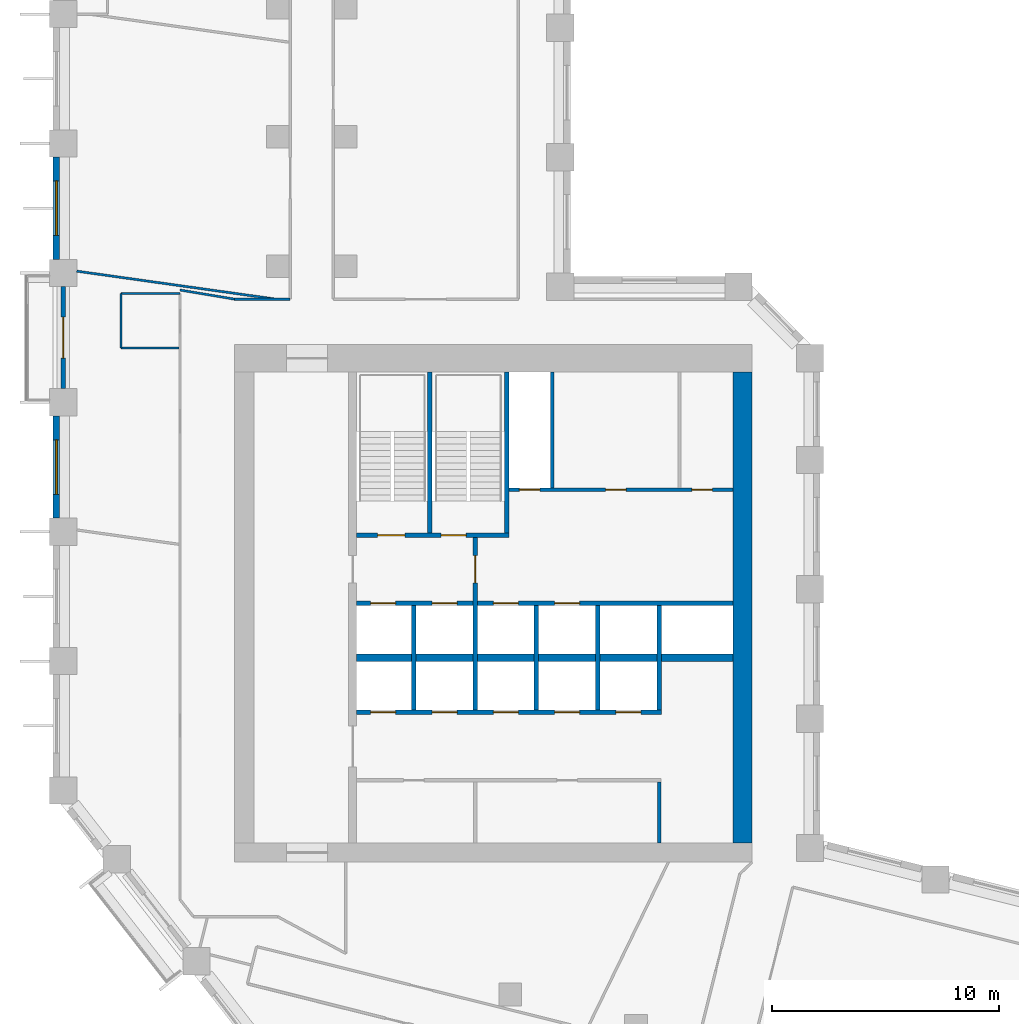
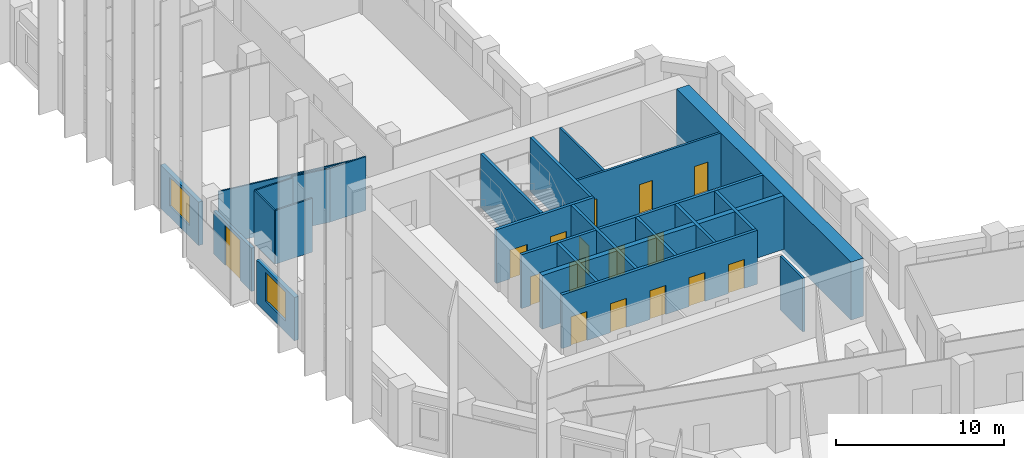
# One storey, part 5 of 10: 24 walls, 16 doors, 2 windows, 18 openings.
"""IFC4 building model written with IfcOpenShell, lengths in metres."""

import ifcopenshell
import ifcopenshell.guid

model = None  # the IFC model being written
_history = None  # IfcOwnerHistory: only IFC2X3 demands one
_inside = {}  # id of a spatial element -> (the spatial element, [elements in it])
_under = {}  # id of a project, library or spatial element -> (it, [spatial elements below it])
_declared = {}  # id of a project -> (the project, [libraries it declares])
_typed = {}  # id of a type object -> (the type object, [elements of that type])
_made_of = {}  # id of a material, layer set ... -> (it, [elements and type objects made of it])


def new_model(schema):
    """Start an empty IFC model of exactly this schema.

    Asked for "IFC4X3", IfcOpenShell would pick the latest addendum, in which some entities
    have other attributes; the version numbers below select the first issue.
    IFC2X3 requires an IfcOwnerHistory on every rooted entity: one is made here for all.
    """
    global model, _history
    if schema == "IFC4X3":
        model = ifcopenshell.file(schema_version=(4, 3, 0, 0))
    else:
        model = ifcopenshell.file(schema=schema)
    _inside.clear()
    _under.clear()
    _declared.clear()
    _typed.clear()
    _made_of.clear()
    _history = None
    if model.schema == "IFC2X3":
        org = make("IfcOrganization", Name="unknown")
        user = make(
            "IfcPersonAndOrganization",
            ThePerson=make("IfcPerson", FamilyName="unknown"),
            TheOrganization=org,
        )
        app = make(
            "IfcApplication",
            ApplicationDeveloper=org,
            Version="unknown",
            ApplicationFullName="unknown",
            ApplicationIdentifier="unknown",
        )
        _history = make(
            "IfcOwnerHistory",
            OwningUser=user,
            OwningApplication=app,
            ChangeAction="ADDED",
            CreationDate=0,
        )
    return model


def make(cls, **values):
    """One entity of the class cls with the attributes given. An attribute that is None is left unset."""
    return model.create_entity(
        cls, **{name: value for name, value in values.items() if value is not None}
    )


def rooted(cls, **values):
    """An entity with a GlobalId (a new one), such as an element, a storey or a relation."""
    return make(cls, GlobalId=ifcopenshell.guid.new(), OwnerHistory=_history, **values)


def si_unit(unit_type, name, prefix=None):
    """IfcSIUnit, for example si_unit("LENGTHUNIT", "METRE", prefix="MILLI")."""
    return make("IfcSIUnit", UnitType=unit_type, Prefix=prefix, Name=name)


def assignment(units):
    """IfcUnitAssignment: the units of a project."""
    return None if units is None else make("IfcUnitAssignment", Units=units)


def point(xyz):
    """IfcCartesianPoint."""
    return None if xyz is None else make("IfcCartesianPoint", Coordinates=xyz)


def direction(xyz):
    """IfcDirection."""
    return None if xyz is None else make("IfcDirection", DirectionRatios=xyz)


def frame(location, z_axis=None, x_axis=None):
    """IfcAxis2Placement3D, a coordinate frame: its origin and axes. An axis left out is left unset."""
    return make(
        "IfcAxis2Placement3D",
        Location=point(location),
        Axis=direction(z_axis),
        RefDirection=direction(x_axis),
    )


def frame_2d(location, x_axis=None):
    """IfcAxis2Placement2D, a coordinate frame in the plane: its origin and x axis."""
    return make(
        "IfcAxis2Placement2D", Location=point(location), RefDirection=direction(x_axis)
    )


def origin():
    """The frame at (0, 0, 0) with its axes left unset."""
    return frame((0.0, 0.0, 0.0))


def place(relative_to, where):
    """IfcLocalPlacement: puts the frame where relative to a parent placement (None: the world)."""
    return make(
        "IfcLocalPlacement", PlacementRelTo=relative_to, RelativePlacement=where
    )


def context(
    kind, dimensions, precision=None, world=None, true_north=None, identifier=None
):
    """IfcGeometricRepresentationContext, for example the 3D "Model" context."""
    return make(
        "IfcGeometricRepresentationContext",
        ContextIdentifier=identifier,
        ContextType=kind,
        CoordinateSpaceDimension=dimensions,
        Precision=precision,
        WorldCoordinateSystem=world,
        TrueNorth=true_north,
    )


def subcontext(parent, identifier, kind, view, scale=None):
    """IfcGeometricRepresentationSubContext, for example "Body" below "Model"."""
    return make(
        "IfcGeometricRepresentationSubContext",
        ContextIdentifier=identifier,
        ContextType=kind,
        ParentContext=parent,
        TargetScale=scale,
        TargetView=view,
    )


def project(units=None, contexts=None):
    """IfcProject with its units and contexts."""
    return rooted(
        "IfcProject",
        Name="project",
        RepresentationContexts=contexts,
        UnitsInContext=assignment(units),
    )


def spatial(cls, under=None, at=None, **own):
    """A site, building, storey or space (cls), placed at a placement, below another one or the project."""
    s = rooted(cls, ObjectPlacement=at, **own)
    if under is not None:
        _under.setdefault(under.id(), (under, []))[1].append(s)
    return s


def profile(cls, at=None, kind="AREA", **sizes):
    """A parametric profile (cls). Its sizes go by their IFC names, for example OverallWidth=200.0."""
    return make(cls, ProfileType=kind, Position=at, **sizes)


def rectangle(**sizes):
    """IfcRectangleProfileDef."""
    return profile("IfcRectangleProfileDef", **sizes)


def extrude(swept, where, along, depth):
    """IfcExtrudedAreaSolid: the profile swept, set in the frame where, extruded along a direction by depth."""
    return make(
        "IfcExtrudedAreaSolid",
        SweptArea=swept,
        Position=where,
        ExtrudedDirection=direction(along),
        Depth=depth,
    )


def shape(context_of_items, identifier, shape_type, items):
    """IfcShapeRepresentation: the items that make up one representation, for example the "Body"."""
    return make(
        "IfcShapeRepresentation",
        ContextOfItems=context_of_items,
        RepresentationIdentifier=identifier,
        RepresentationType=shape_type,
        Items=items,
    )


def material(Name=None, Category=None):
    """IfcMaterial."""
    return make("IfcMaterial", Name=Name, Category=Category)


def layer(
    of_material, thickness, ventilated=None, Name=None, Category=None, Priority=None
):
    """IfcMaterialLayer: one layer of a wall or slab, of a material (None: an air gap)."""
    return make(
        "IfcMaterialLayer",
        Material=of_material,
        LayerThickness=thickness,
        IsVentilated=ventilated,
        Name=Name,
        Category=Category,
        Priority=Priority,
    )


def layer_set(layers, Name=None):
    """IfcMaterialLayerSet."""
    return make("IfcMaterialLayerSet", MaterialLayers=layers, LayerSetName=Name)


def made_of(thing, what):
    """Note that an element or type object is made of a material, layer set ...; save() writes the relation."""
    if what is not None:
        _made_of.setdefault(what.id(), (what, []))[1].append(thing)
    return thing


def type_object(cls, material=None, **own):
    """A type object (cls), such as IfcWallType, which elements share."""
    return made_of(rooted(cls, **own), material)


def element(
    cls,
    number,
    at=None,
    inside=None,
    cuts=None,
    type_object=None,
    material=None,
    context=None,
    identifier="Body",
    shape_type=None,
    held_by="IfcProductDefinitionShape",
    body=None,
    shapes=None,
    **own,
):
    """One element of the class cls, such as IfcWall. Its Tag is "e" and its number.

    at: its placement. inside: the storey or other place that contains it. cuts: it is an
    opening in that element (IfcRelVoidsElement). A single representation is given by context,
    identifier, shape_type and body (its items); several are given by shapes. held_by: the class
    of the entity that holds the representations. save() writes the other relations.
    """
    e = rooted(cls, Tag="e%d" % number, ObjectPlacement=at, **own)
    if body is not None:
        shapes = [shape(context, identifier, shape_type, body)]
    if shapes is not None:
        e.Representation = make(held_by, Representations=shapes)
    if inside is not None:
        _inside.setdefault(inside.id(), (inside, []))[1].append(e)
    if cuts is not None:
        rooted(
            "IfcRelVoidsElement", RelatingBuildingElement=cuts, RelatedOpeningElement=e
        )
    if type_object is not None:
        _typed.setdefault(type_object.id(), (type_object, []))[1].append(e)
    return made_of(e, material)


def fill(opening, filler):
    """IfcRelFillsElement: the door or window that sits in an opening."""
    return rooted(
        "IfcRelFillsElement",
        RelatingOpeningElement=opening,
        RelatedBuildingElement=filler,
    )


def aggregate(whole, parts):
    """IfcRelAggregates: a whole, such as a stair, and the parts it consists of."""
    return rooted("IfcRelAggregates", RelatingObject=whole, RelatedObjects=parts)


def save(model, path):
    """Write the relations noted so far, then the file.

    IfcRelAggregates (storeys below a building ...), IfcRelContainedInSpatialStructure (elements
    in a storey), IfcRelDefinesByType, IfcRelAssociatesMaterial and IfcRelDeclares: one each for
    every whole, place, type object, material and project.
    """
    for whole, parts in _under.values():
        aggregate(whole, parts)
    for where, things in _inside.values():
        rooted(
            "IfcRelContainedInSpatialStructure",
            RelatedElements=things,
            RelatingStructure=where,
        )
    for kind, things in _typed.values():
        rooted("IfcRelDefinesByType", RelatedObjects=things, RelatingType=kind)
    for what, things in _made_of.values():
        rooted("IfcRelAssociatesMaterial", RelatedObjects=things, RelatingMaterial=what)
    for by, libraries in _declared.values():
        rooted("IfcRelDeclares", RelatingContext=by, RelatedDefinitions=libraries)
    model.write(path)


model = new_model("IFC4")

# Units and contexts
model_context = context("Model", 3, precision=1e-05, world=origin(), true_north=direction((0.0, 1.0)))
body_context = subcontext(model_context, "Body", "Model", "MODEL_VIEW")
ifc_project = project(units=[si_unit("LENGTHUNIT", "METRE"), si_unit("AREAUNIT", "SQUARE_METRE"), si_unit("VOLUMEUNIT", "CUBIC_METRE"), si_unit("PLANEANGLEUNIT", "RADIAN"), si_unit("MASSUNIT", "GRAM", prefix="KILO")], contexts=[model_context])

# Site, building, storey
site_placement = place(None, origin())
site = spatial("IfcSite", under=ifc_project, at=site_placement, CompositionType="ELEMENT")
building_placement = place(site_placement, origin())
building = spatial("IfcBuilding", under=site, at=building_placement, Name="Meshkara Civic Tower", CompositionType="ELEMENT")
storey_placement = place(building_placement, frame((0.0, 0.0, 195.0)))
storey = spatial("IfcBuildingStorey", under=building, at=storey_placement, Name="L44", CompositionType="ELEMENT", Elevation=195.0)

# Wall, openings, doors
ifc_material_1 = material(Name="Blockwork", Category="masonry")
ifc_layer_1 = layer(ifc_material_1, 0.14990234375)
ifc_layer_set_1 = layer_set([ifc_layer_1], Name="Core partition 150")
wall_type_1 = type_object("IfcWallType", Name="Core partition 150", PredefinedType="PARTITIONING", material=ifc_layer_set_1)
wall_1_placement = place(storey_placement, frame((20.10009765625, 30.5, 0.0), z_axis=(0.0, 0.0, 1.0), x_axis=(1.0, 0.0, 0.0)))
wall_1 = element("IfcWall", 1, at=wall_1_placement, inside=storey, type_object=wall_type_1, Name="L44-C010", PredefinedType="PARTITIONING", context=body_context, shape_type="SweptSolid", body=[
    extrude(rectangle(XDim=9.849853515625, YDim=0.14990234375, at=frame_2d((4.9248046875, 0.0))), origin(), (0.0, 0.0, 1.0), 3.89990234375),
])
opening_1_placement = place(wall_1_placement, frame((0.449951171875, 0.0, 0.0)))
opening_1 = element("IfcOpeningElement", 2, at=opening_1_placement, cuts=wall_1, Name="Opening L44-K012", PredefinedType="OPENING", context=body_context, shape_type="SweptSolid", body=[
    extrude(rectangle(XDim=0.89990234375, YDim=2.10009765625, at=frame_2d((0.449951171875, 1.050048828125))), frame((0.0, 0.0849609375, 0.0), z_axis=(0.0, -1.0, 0.0), x_axis=(1.0, 0.0, 0.0)), (0.0, 0.0, 1.0), 0.169921875),
])
opening_2_placement = place(wall_1_placement, frame((4.25, 0.0, 0.0)))
opening_2 = element("IfcOpeningElement", 3, at=opening_2_placement, cuts=wall_1, Name="Opening L44-K013", PredefinedType="OPENING", context=body_context, shape_type="SweptSolid", body=[
    extrude(rectangle(XDim=0.89990234375, YDim=2.10009765625, at=frame_2d((0.449951171875, 1.050048828125))), frame((0.0, 0.0849609375, 0.0), z_axis=(0.0, -1.0, 0.0), x_axis=(1.0, 0.0, 0.0)), (0.0, 0.0, 1.0), 0.169921875),
])
opening_3_placement = place(wall_1_placement, frame((8.050048828125, 0.0, 0.0)))
opening_3 = element("IfcOpeningElement", 4, at=opening_3_placement, cuts=wall_1, Name="Opening L44-K014", PredefinedType="OPENING", context=body_context, shape_type="SweptSolid", body=[
    extrude(rectangle(XDim=0.89990234375, YDim=2.10009765625, at=frame_2d((0.449951171875, 1.050048828125))), frame((0.0, 0.0849609375, 0.0), z_axis=(0.0, -1.0, 0.0), x_axis=(1.0, 0.0, 0.0)), (0.0, 0.0, 1.0), 0.169921875),
])
ifc_material_2 = material(Name="Timber door leaf in steel frame", Category="steel")
door_type_1 = type_object("IfcDoorType", Name="Core room door 900", OperationType="SINGLE_SWING_LEFT", PredefinedType="DOOR", material=ifc_material_2)
door_1_placement = place(opening_2_placement, origin())
door_1 = element("IfcDoor", 5, at=door_1_placement, inside=storey, type_object=door_type_1, Name="L44-K013", OperationType="SINGLE_SWING_RIGHT", OverallHeight=2.10009765625, OverallWidth=0.89990234375, PredefinedType="DOOR", context=body_context, shape_type="SweptSolid", body=[
    extrude(rectangle(XDim=0.89990234375, YDim=2.10009765625, at=frame_2d((0.449951171875, 1.050048828125))), frame((0.0, 0.02490234375, 0.0), z_axis=(0.0, -1.0, 0.0), x_axis=(1.0, 0.0, 0.0)), (0.0, 0.0, 1.0), 0.050048828125),
])
fill(opening_2, door_1)
door_2_placement = place(opening_3_placement, origin())
door_2 = element("IfcDoor", 6, at=door_2_placement, inside=storey, type_object=door_type_1, Name="L44-K014", OperationType="SINGLE_SWING_RIGHT", OverallHeight=2.10009765625, OverallWidth=0.89990234375, PredefinedType="DOOR", context=body_context, shape_type="SweptSolid", body=[
    extrude(rectangle(XDim=0.89990234375, YDim=2.10009765625, at=frame_2d((0.449951171875, 1.050048828125))), frame((0.0, 0.02490234375, 0.0), z_axis=(0.0, -1.0, 0.0), x_axis=(1.0, 0.0, 0.0)), (0.0, 0.0, 1.0), 0.050048828125),
])
fill(opening_3, door_2)
ifc_material_3 = material(Name="Fire-rated door leaf in steel frame", Category="steel")
door_type_2 = type_object("IfcDoorType", Name="Riser door 900", OperationType="SINGLE_SWING_LEFT", PredefinedType="DOOR", material=ifc_material_3)
door_3_placement = place(opening_1_placement, origin())
door_3 = element("IfcDoor", 7, at=door_3_placement, inside=storey, type_object=door_type_2, Name="L44-K012", OperationType="SINGLE_SWING_RIGHT", OverallHeight=2.10009765625, OverallWidth=0.89990234375, PredefinedType="DOOR", context=body_context, shape_type="SweptSolid", body=[
    extrude(rectangle(XDim=0.89990234375, YDim=2.10009765625, at=frame_2d((0.449951171875, 1.050048828125))), frame((0.0, 0.02490234375, 0.0), z_axis=(0.0, -1.0, 0.0), x_axis=(1.0, 0.0, 0.0)), (0.0, 0.0, 1.0), 0.050048828125),
])
fill(opening_1, door_3)

# Walls
wall_2_placement = place(storey_placement, frame((22.0, 30.574951171875, 0.0), z_axis=(0.0, 0.0, 1.0), x_axis=(0.0, 1.0, 0.0)))
element("IfcWall", 8, at=wall_2_placement, inside=storey, type_object=wall_type_1, Name="L44-C018", PredefinedType="PARTITIONING", context=body_context, shape_type="SweptSolid", body=[
    extrude(rectangle(XDim=5.125, YDim=0.14990234375, at=frame_2d((2.5625, 0.0))), origin(), (0.0, 0.0, 1.0), 3.89990234375),
])
wall_3_placement = place(storey_placement, frame((26.699951171875, 14.949951171875, 0.0), z_axis=(0.0, 0.0, 1.0), x_axis=(0.0, 1.0, 0.0)))
element("IfcWall", 9, at=wall_3_placement, inside=storey, type_object=wall_type_1, Name="L44-C020", PredefinedType="PARTITIONING", context=body_context, shape_type="SweptSolid", body=[
    extrude(rectangle(XDim=2.675048828125, YDim=0.14990234375, at=frame_2d((1.33740234375, 0.0))), origin(), (0.0, 0.0, 1.0), 3.89990234375),
])
ifc_material_4 = material(Name="Concrete C70", Category="concrete")
ifc_layer_2 = layer(ifc_material_4, 0.85009765625)
ifc_layer_set_2 = layer_set([ifc_layer_2], Name="Core ring wall 850 C70")
wall_type_2 = type_object("IfcWallType", Name="Core ring wall 850 C70", PredefinedType="SHEAR", material=ifc_layer_set_2)
wall_4_placement = place(storey_placement, frame((30.375, 14.949951171875, -0.300048828125), z_axis=(0.0, 0.0, 1.0), x_axis=(0.0, 1.0, 0.0)))
element("IfcWall", 10, at=wall_4_placement, inside=storey, type_object=wall_type_2, Name="L44-C004", PredefinedType="SHEAR", context=body_context, shape_type="SweptSolid", body=[
    extrude(rectangle(XDim=20.75, YDim=0.85009765625, at=frame_2d((10.375, 0.0))), origin(), (0.0, 0.0, 1.0), 4.199951171875),
])
ifc_material_5 = material(Name="Concrete C70", Category="concrete")
ifc_layer_3 = layer(ifc_material_5, 0.340087890625)
ifc_layer_set_3 = layer_set([ifc_layer_3], Name="Core shear wall 340 C70")
wall_type_3 = type_object("IfcWallType", Name="Core shear wall 340 C70", PredefinedType="SHEAR", material=ifc_layer_set_3)
wall_5_placement = place(storey_placement, frame((13.3701171875, 23.10009765625, 0.0), z_axis=(0.0, 0.0, 1.0), x_axis=(1.0, 0.0, 0.0)))
element("IfcWall", 11, at=wall_5_placement, inside=storey, type_object=wall_type_3, Name="L44-C007", PredefinedType="SHEAR", context=body_context, shape_type="SweptSolid", body=[
    extrude(rectangle(XDim=16.579833984375, YDim=0.340087890625, at=frame_2d((8.2900390625, 0.0))), origin(), (0.0, 0.0, 1.0), 3.89990234375),
])
ifc_material_6 = material(Name="Corridor wall 100")
ifc_layer_4 = layer(ifc_material_6, 0.10009765625)
ifc_layer_set_4 = layer_set([ifc_layer_4], Name="Corridor wall 100")
wall_type_4 = type_object("IfcWallType", Name="Corridor wall 100", PredefinedType="PARTITIONING", material=ifc_layer_set_4)
wall_6_placement = place(storey_placement, frame((8.0, 38.89990234375, 0.0), z_axis=(0.0, 0.0, 1.0), x_axis=(1.0, 0.0, 0.0)))
element("IfcWall", 12, at=wall_6_placement, inside=storey, type_object=wall_type_4, Name="L44-W007", PredefinedType="PARTITIONING", context=body_context, shape_type="SweptSolid", body=[
    extrude(rectangle(XDim=2.449951171875, YDim=0.10009765625, at=frame_2d((1.22509765625, 0.0))), origin(), (0.0, 0.0, 1.0), 3.89990234375),
])
wall_7_placement = place(storey_placement, frame((8.0, 38.89990234375, 0.0), z_axis=(0.0, 0.0, 1.0), x_axis=(-0.986383073668, 0.16446407505, 0.0)))
element("IfcWall", 13, at=wall_7_placement, inside=storey, type_object=wall_type_4, Name="L44-W008", PredefinedType="PARTITIONING", context=body_context, shape_type="SweptSolid", body=[
    extrude(rectangle(XDim=2.43310546875, YDim=0.10009765625, at=frame_2d((1.216552734375, 0.0))), origin(), (0.0, 0.0, 1.0), 3.89990234375),
])

# Wall, opening, window
ifc_material_7 = material(Name="Insulated infill panel with bronze anodised aluminium cladding", Category="aluminium")
ifc_layer_5 = layer(ifc_material_7, 0.300048828125)
ifc_layer_set_5 = layer_set([ifc_layer_5], Name="EXTERNAL INFILL WALL 300")
wall_type_5 = type_object("IfcWallType", Name="EXTERNAL INFILL WALL 300", PredefinedType="SOLIDWALL", material=ifc_layer_set_5)
wall_8_placement = place(storey_placement, frame((0.14990234375, 45.155029296875, 0.0), z_axis=(0.0, 0.0, 1.0), x_axis=(0.0, -1.0, 0.0)))
wall_8 = element("IfcWall", 14, at=wall_8_placement, inside=storey, type_object=wall_type_5, Name="External wall", PredefinedType="SOLIDWALL", context=body_context, shape_type="SweptSolid", body=[
    extrude(rectangle(XDim=4.5, YDim=0.300048828125, at=frame_2d((2.25, 0.0))), origin(), (0.0, 0.0, 1.0), 3.14990234375),
])
opening_4_placement = place(wall_8_placement, frame((1.050048828125, 0.0, 0.800048828125)))
opening_4 = element("IfcOpeningElement", 15, at=opening_4_placement, cuts=wall_8, Name="Opening W7", PredefinedType="OPENING", context=body_context, shape_type="SweptSolid", body=[
    extrude(rectangle(XDim=2.39990234375, YDim=2.10009765625, at=frame_2d((1.199951171875, 1.050048828125))), frame((0.0, 0.159912109375, 0.0), z_axis=(0.0, -1.0, 0.0), x_axis=(1.0, 0.0, 0.0)), (0.0, 0.0, 1.0), 0.320068359375),
])
ifc_material_8 = material(Name="Tinted double glazing", Category="glass")
window_type = type_object("IfcWindowType", Name="WINDOW 2400x2100", PartitioningType="DOUBLE_PANEL_VERTICAL", PredefinedType="WINDOW", material=ifc_material_8)
window_1_placement = place(opening_4_placement, origin())
window_1 = element("IfcWindow", 16, at=window_1_placement, inside=storey, type_object=window_type, Name="Window", OverallHeight=2.10009765625, OverallWidth=2.39990234375, PartitioningType="DOUBLE_PANEL_VERTICAL", PredefinedType="WINDOW", context=body_context, shape_type="SweptSolid", body=[
    extrude(rectangle(XDim=2.39990234375, YDim=2.10009765625, at=frame_2d((1.199951171875, 1.050048828125))), frame((0.0, 0.030029296875, 0.0), z_axis=(0.0, -1.0, 0.0), x_axis=(1.0, 0.0, 0.0)), (0.0, 0.0, 1.0), 0.06005859375),
])
fill(opening_4, window_1)

wall_9_placement = place(storey_placement, frame((0.14990234375, 33.7548828125, 0.0), z_axis=(0.0, 0.0, 1.0), x_axis=(0.0, -1.0, 0.0)))
wall_9 = element("IfcWall", 17, at=wall_9_placement, inside=storey, type_object=wall_type_5, Name="External wall", PredefinedType="SOLIDWALL", context=body_context, shape_type="SweptSolid", body=[
    extrude(rectangle(XDim=4.5, YDim=0.300048828125, at=frame_2d((2.25, 0.0))), origin(), (0.0, 0.0, 1.0), 3.14990234375),
])
opening_5_placement = place(wall_9_placement, frame((1.050048828125, 0.0, 0.800048828125)))
opening_5 = element("IfcOpeningElement", 18, at=opening_5_placement, cuts=wall_9, Name="Opening W7", PredefinedType="OPENING", context=body_context, shape_type="SweptSolid", body=[
    extrude(rectangle(XDim=2.39990234375, YDim=2.10009765625, at=frame_2d((1.199951171875, 1.050048828125))), frame((0.0, 0.159912109375, 0.0), z_axis=(0.0, -1.0, 0.0), x_axis=(1.0, 0.0, 0.0)), (0.0, 0.0, 1.0), 0.320068359375),
])
window_2_placement = place(opening_5_placement, origin())
window_2 = element("IfcWindow", 19, at=window_2_placement, inside=storey, type_object=window_type, Name="Window", OverallHeight=2.10009765625, OverallWidth=2.39990234375, PartitioningType="DOUBLE_PANEL_VERTICAL", PredefinedType="WINDOW", context=body_context, shape_type="SweptSolid", body=[
    extrude(rectangle(XDim=2.39990234375, YDim=2.10009765625, at=frame_2d((1.199951171875, 1.050048828125))), frame((0.0, 0.030029296875, 0.0), z_axis=(0.0, -1.0, 0.0), x_axis=(1.0, 0.0, 0.0)), (0.0, 0.0, 1.0), 0.06005859375),
])
fill(opening_5, window_2)

# Wall, opening, door
ifc_material_9 = material(Name="Insulated infill panel with bronze anodised aluminium cladding", Category="aluminium")
ifc_layer_6 = layer(ifc_material_9, 0.199951171875)
ifc_layer_set_6 = layer_set([ifc_layer_6], Name="LOGGIA BACK WALL 200")
wall_type_6 = type_object("IfcWallType", Name="LOGGIA BACK WALL 200", PredefinedType="SOLIDWALL", material=ifc_layer_set_6)
wall_10_placement = place(storey_placement, frame((0.449951171875, 39.4541015625, 0.0), z_axis=(0.0, 0.0, 1.0), x_axis=(0.0, -1.0, 0.0)))
wall_10 = element("IfcWall", 20, at=wall_10_placement, inside=storey, type_object=wall_type_6, Name="Loggia wall", PredefinedType="SOLIDWALL", context=body_context, shape_type="SweptSolid", body=[
    extrude(rectangle(XDim=4.498046875, YDim=0.199951171875, at=frame_2d((2.2490234375, 0.0))), origin(), (0.0, 0.0, 1.0), 3.14990234375),
])
opening_6_placement = place(wall_10_placement, frame((1.35009765625, 0.0, 0.0)))
opening_6 = element("IfcOpeningElement", 21, at=opening_6_placement, cuts=wall_10, Name="Opening L44-L001", PredefinedType="OPENING", context=body_context, shape_type="SweptSolid", body=[
    extrude(rectangle(XDim=1.800048828125, YDim=2.89990234375, at=frame_2d((0.89990234375, 1.449951171875))), frame((0.0, 0.10986328125, 0.0), z_axis=(0.0, -1.0, 0.0), x_axis=(1.0, 0.0, 0.0)), (0.0, 0.0, 1.0), 0.219970703125),
])
ifc_material_10 = material(Name="Tinted double glazing", Category="glass")
door_type_3 = type_object("IfcDoorType", Name="LOGGIA DOOR 1800x2900", OperationType="DOUBLE_DOOR_SINGLE_SWING", PredefinedType="DOOR", material=ifc_material_10)
door_4_placement = place(opening_6_placement, origin())
door_4 = element("IfcDoor", 22, at=door_4_placement, inside=storey, type_object=door_type_3, Name="L44-L001", OperationType="DOUBLE_DOOR_SINGLE_SWING", OverallHeight=2.89990234375, OverallWidth=1.800048828125, PredefinedType="DOOR", context=body_context, shape_type="SweptSolid", body=[
    extrude(rectangle(XDim=1.800048828125, YDim=2.89990234375, at=frame_2d((0.89990234375, 1.449951171875))), frame((0.0, 0.02490234375, 0.0), z_axis=(0.0, -1.0, 0.0), x_axis=(1.0, 0.0, 0.0)), (0.0, 0.0, 1.0), 0.050048828125),
])
fill(opening_6, door_4)

# Walls
ifc_material_11 = material(Name="Partition 100")
ifc_layer_7 = layer(ifc_material_11, 0.10009765625)
ifc_layer_set_7 = layer_set([ifc_layer_7], Name="Partition 100")
wall_type_7 = type_object("IfcWallType", Name="Partition 100", PredefinedType="PARTITIONING", material=ifc_layer_set_7)
wall_11_placement = place(storey_placement, frame((3.0, 36.75, 0.0), z_axis=(0.0, 0.0, 1.0), x_axis=(0.0, 1.0, 0.0)))
element("IfcWall", 23, at=wall_11_placement, inside=storey, type_object=wall_type_7, Name="L44-W043", PredefinedType="PARTITIONING", context=body_context, shape_type="SweptSolid", body=[
    extrude(rectangle(XDim=2.39990234375, YDim=0.10009765625, at=frame_2d((1.199951171875, 0.0))), origin(), (0.0, 0.0, 1.0), 3.89990234375),
])
wall_12_placement = place(storey_placement, frame((3.0, 39.14990234375, 0.0), z_axis=(0.0, 0.0, 1.0), x_axis=(1.0, 0.0, 0.0)))
element("IfcWall", 24, at=wall_12_placement, inside=storey, type_object=wall_type_7, Name="L44-W044", PredefinedType="PARTITIONING", context=body_context, shape_type="SweptSolid", body=[
    extrude(rectangle(XDim=2.60009765625, YDim=0.10009765625, at=frame_2d((1.300048828125, 0.0))), origin(), (0.0, 0.0, 1.0), 3.89990234375),
])
wall_13_placement = place(storey_placement, frame((5.550048828125, 36.75, 0.0), z_axis=(0.0, 0.0, 1.0), x_axis=(-1.0, 0.0, 0.0)))
element("IfcWall", 25, at=wall_13_placement, inside=storey, type_object=wall_type_7, Name="L44-W046", PredefinedType="PARTITIONING", context=body_context, shape_type="SweptSolid", body=[
    extrude(rectangle(XDim=2.550048828125, YDim=0.10009765625, at=frame_2d((1.27490234375, 0.0))), origin(), (0.0, 0.0, 1.0), 3.89990234375),
])
wall_14_placement = place(storey_placement, frame((9.820068359375, 38.89990234375, 0.0), z_axis=(0.0, 0.0, 1.0), x_axis=(-0.99025859824, 0.139240470456, 0.0)))
element("IfcWall", 26, at=wall_14_placement, inside=storey, type_object=wall_type_7, Name="L44-W049", PredefinedType="PARTITIONING", context=body_context, shape_type="SweptSolid", body=[
    extrude(rectangle(XDim=8.856201171875, YDim=0.10009765625, at=frame_2d((4.42822265625, 0.0))), origin(), (0.0, 0.0, 1.0), 3.89990234375),
])

# Wall, openings, doors
ifc_material_12 = material(Name="Concrete C40/50", Category="concrete")
ifc_layer_8 = layer(ifc_material_12, 0.199951171875)
ifc_layer_set_8 = layer_set([ifc_layer_8], Name="Shaft wall 200 C40/50")
wall_type_8 = type_object("IfcWallType", Name="Shaft wall 200 C40/50", PredefinedType="SOLIDWALL", material=ifc_layer_set_8)
wall_15_placement = place(storey_placement, frame((13.3701171875, 20.699951171875, 0.0), z_axis=(0.0, 0.0, 1.0), x_axis=(1.0, 0.0, 0.0)))
wall_15 = element("IfcWall", 27, at=wall_15_placement, inside=storey, type_object=wall_type_8, Name="L44-C006", PredefinedType="SOLIDWALL", context=body_context, shape_type="SweptSolid", body=[
    extrude(rectangle(XDim=13.429931640625, YDim=0.199951171875, at=frame_2d((6.71484375, 0.0))), origin(), (0.0, 0.0, 1.0), 3.89990234375),
])
opening_7_placement = place(wall_15_placement, frame((0.6298828125, 0.0, 0.0)))
opening_7 = element("IfcOpeningElement", 28, at=opening_7_placement, cuts=wall_15, Name="Opening L44-K001", PredefinedType="OPENING", context=body_context, shape_type="SweptSolid", body=[
    extrude(rectangle(XDim=1.10009765625, YDim=2.10009765625, at=frame_2d((0.550048828125, 1.050048828125))), frame((0.0, 0.10986328125, 0.0), z_axis=(0.0, -1.0, 0.0), x_axis=(1.0, 0.0, 0.0)), (0.0, 0.0, 1.0), 0.219970703125),
])
opening_8_placement = place(wall_15_placement, frame((3.330078125, 0.0, 0.0)))
opening_8 = element("IfcOpeningElement", 29, at=opening_8_placement, cuts=wall_15, Name="Opening L44-K002", PredefinedType="OPENING", context=body_context, shape_type="SweptSolid", body=[
    extrude(rectangle(XDim=1.10009765625, YDim=2.10009765625, at=frame_2d((0.550048828125, 1.050048828125))), frame((0.0, 0.10986328125, 0.0), z_axis=(0.0, -1.0, 0.0), x_axis=(1.0, 0.0, 0.0)), (0.0, 0.0, 1.0), 0.219970703125),
])
opening_9_placement = place(wall_15_placement, frame((6.030029296875, 0.0, 0.0)))
opening_9 = element("IfcOpeningElement", 30, at=opening_9_placement, cuts=wall_15, Name="Opening L44-K003", PredefinedType="OPENING", context=body_context, shape_type="SweptSolid", body=[
    extrude(rectangle(XDim=1.10009765625, YDim=2.10009765625, at=frame_2d((0.550048828125, 1.050048828125))), frame((0.0, 0.10986328125, 0.0), z_axis=(0.0, -1.0, 0.0), x_axis=(1.0, 0.0, 0.0)), (0.0, 0.0, 1.0), 0.219970703125),
])
opening_10_placement = place(wall_15_placement, frame((8.72998046875, 0.0, 0.0)))
opening_10 = element("IfcOpeningElement", 31, at=opening_10_placement, cuts=wall_15, Name="Opening L44-K004", PredefinedType="OPENING", context=body_context, shape_type="SweptSolid", body=[
    extrude(rectangle(XDim=1.10009765625, YDim=2.10009765625, at=frame_2d((0.550048828125, 1.050048828125))), frame((0.0, 0.10986328125, 0.0), z_axis=(0.0, -1.0, 0.0), x_axis=(1.0, 0.0, 0.0)), (0.0, 0.0, 1.0), 0.219970703125),
])
opening_11_placement = place(wall_15_placement, frame((11.429931640625, 0.0, 0.0)))
opening_11 = element("IfcOpeningElement", 32, at=opening_11_placement, cuts=wall_15, Name="Opening L44-K005", PredefinedType="OPENING", context=body_context, shape_type="SweptSolid", body=[
    extrude(rectangle(XDim=1.10009765625, YDim=2.10009765625, at=frame_2d((0.550048828125, 1.050048828125))), frame((0.0, 0.10986328125, 0.0), z_axis=(0.0, -1.0, 0.0), x_axis=(1.0, 0.0, 0.0)), (0.0, 0.0, 1.0), 0.219970703125),
])
ifc_material_13 = material(Name="Stainless steel landing door", Category="steel")
door_type_4 = type_object("IfcDoorType", Name="Lift landing door 1100", OperationType="SLIDING_TO_LEFT", PredefinedType="DOOR", material=ifc_material_13)
door_5_placement = place(opening_7_placement, origin())
door_5 = element("IfcDoor", 33, at=door_5_placement, inside=storey, type_object=door_type_4, Name="L44-K001", OperationType="SLIDING_TO_LEFT", OverallHeight=2.10009765625, OverallWidth=1.10009765625, PredefinedType="DOOR", context=body_context, shape_type="SweptSolid", body=[
    extrude(rectangle(XDim=1.10009765625, YDim=2.10009765625, at=frame_2d((0.550048828125, 1.050048828125))), frame((0.0, 0.02490234375, 0.0), z_axis=(0.0, -1.0, 0.0), x_axis=(1.0, 0.0, 0.0)), (0.0, 0.0, 1.0), 0.050048828125),
])
fill(opening_7, door_5)
door_6_placement = place(opening_8_placement, origin())
door_6 = element("IfcDoor", 34, at=door_6_placement, inside=storey, type_object=door_type_4, Name="L44-K002", OperationType="SLIDING_TO_LEFT", OverallHeight=2.10009765625, OverallWidth=1.10009765625, PredefinedType="DOOR", context=body_context, shape_type="SweptSolid", body=[
    extrude(rectangle(XDim=1.10009765625, YDim=2.10009765625, at=frame_2d((0.550048828125, 1.050048828125))), frame((0.0, 0.02490234375, 0.0), z_axis=(0.0, -1.0, 0.0), x_axis=(1.0, 0.0, 0.0)), (0.0, 0.0, 1.0), 0.050048828125),
])
fill(opening_8, door_6)
door_7_placement = place(opening_9_placement, origin())
door_7 = element("IfcDoor", 35, at=door_7_placement, inside=storey, type_object=door_type_4, Name="L44-K003", OperationType="SLIDING_TO_LEFT", OverallHeight=2.10009765625, OverallWidth=1.10009765625, PredefinedType="DOOR", context=body_context, shape_type="SweptSolid", body=[
    extrude(rectangle(XDim=1.10009765625, YDim=2.10009765625, at=frame_2d((0.550048828125, 1.050048828125))), frame((0.0, 0.02490234375, 0.0), z_axis=(0.0, -1.0, 0.0), x_axis=(1.0, 0.0, 0.0)), (0.0, 0.0, 1.0), 0.050048828125),
])
fill(opening_9, door_7)
door_8_placement = place(opening_10_placement, origin())
door_8 = element("IfcDoor", 36, at=door_8_placement, inside=storey, type_object=door_type_4, Name="L44-K004", OperationType="SLIDING_TO_LEFT", OverallHeight=2.10009765625, OverallWidth=1.10009765625, PredefinedType="DOOR", context=body_context, shape_type="SweptSolid", body=[
    extrude(rectangle(XDim=1.10009765625, YDim=2.10009765625, at=frame_2d((0.550048828125, 1.050048828125))), frame((0.0, 0.02490234375, 0.0), z_axis=(0.0, -1.0, 0.0), x_axis=(1.0, 0.0, 0.0)), (0.0, 0.0, 1.0), 0.050048828125),
])
fill(opening_10, door_8)
door_9_placement = place(opening_11_placement, origin())
door_9 = element("IfcDoor", 37, at=door_9_placement, inside=storey, type_object=door_type_4, Name="L44-K005", OperationType="SLIDING_TO_LEFT", OverallHeight=2.10009765625, OverallWidth=1.10009765625, PredefinedType="DOOR", context=body_context, shape_type="SweptSolid", body=[
    extrude(rectangle(XDim=1.10009765625, YDim=2.10009765625, at=frame_2d((0.550048828125, 1.050048828125))), frame((0.0, 0.02490234375, 0.0), z_axis=(0.0, -1.0, 0.0), x_axis=(1.0, 0.0, 0.0)), (0.0, 0.0, 1.0), 0.050048828125),
])
fill(opening_11, door_9)

wall_16_placement = place(storey_placement, frame((13.3701171875, 25.5, 0.0), z_axis=(0.0, 0.0, 1.0), x_axis=(1.0, 0.0, 0.0)))
wall_16 = element("IfcWall", 38, at=wall_16_placement, inside=storey, type_object=wall_type_8, Name="L44-C008", PredefinedType="SOLIDWALL", context=body_context, shape_type="SweptSolid", body=[
    extrude(rectangle(XDim=16.579833984375, YDim=0.199951171875, at=frame_2d((8.2900390625, 0.0))), origin(), (0.0, 0.0, 1.0), 3.89990234375),
])
opening_12_placement = place(wall_16_placement, frame((0.6298828125, 0.0, 0.0)))
opening_12 = element("IfcOpeningElement", 39, at=opening_12_placement, cuts=wall_16, Name="Opening L44-K006", PredefinedType="OPENING", context=body_context, shape_type="SweptSolid", body=[
    extrude(rectangle(XDim=1.10009765625, YDim=2.10009765625, at=frame_2d((0.550048828125, 1.050048828125))), frame((0.0, 0.10986328125, 0.0), z_axis=(0.0, -1.0, 0.0), x_axis=(1.0, 0.0, 0.0)), (0.0, 0.0, 1.0), 0.219970703125),
])
opening_13_placement = place(wall_16_placement, frame((3.330078125, 0.0, 0.0)))
opening_13 = element("IfcOpeningElement", 40, at=opening_13_placement, cuts=wall_16, Name="Opening L44-K007", PredefinedType="OPENING", context=body_context, shape_type="SweptSolid", body=[
    extrude(rectangle(XDim=1.10009765625, YDim=2.10009765625, at=frame_2d((0.550048828125, 1.050048828125))), frame((0.0, 0.10986328125, 0.0), z_axis=(0.0, -1.0, 0.0), x_axis=(1.0, 0.0, 0.0)), (0.0, 0.0, 1.0), 0.219970703125),
])
opening_14_placement = place(wall_16_placement, frame((6.030029296875, 0.0, 0.0)))
opening_14 = element("IfcOpeningElement", 41, at=opening_14_placement, cuts=wall_16, Name="Opening L44-K008", PredefinedType="OPENING", context=body_context, shape_type="SweptSolid", body=[
    extrude(rectangle(XDim=1.10009765625, YDim=2.10009765625, at=frame_2d((0.550048828125, 1.050048828125))), frame((0.0, 0.10986328125, 0.0), z_axis=(0.0, -1.0, 0.0), x_axis=(1.0, 0.0, 0.0)), (0.0, 0.0, 1.0), 0.219970703125),
])
opening_15_placement = place(wall_16_placement, frame((8.72998046875, 0.0, 0.0)))
opening_15 = element("IfcOpeningElement", 42, at=opening_15_placement, cuts=wall_16, Name="Opening L44-K009", PredefinedType="OPENING", context=body_context, shape_type="SweptSolid", body=[
    extrude(rectangle(XDim=1.10009765625, YDim=2.10009765625, at=frame_2d((0.550048828125, 1.050048828125))), frame((0.0, 0.10986328125, 0.0), z_axis=(0.0, -1.0, 0.0), x_axis=(1.0, 0.0, 0.0)), (0.0, 0.0, 1.0), 0.219970703125),
])
door_10_placement = place(opening_12_placement, origin())
door_10 = element("IfcDoor", 43, at=door_10_placement, inside=storey, type_object=door_type_4, Name="L44-K006", OperationType="SLIDING_TO_LEFT", OverallHeight=2.10009765625, OverallWidth=1.10009765625, PredefinedType="DOOR", context=body_context, shape_type="SweptSolid", body=[
    extrude(rectangle(XDim=1.10009765625, YDim=2.10009765625, at=frame_2d((0.550048828125, 1.050048828125))), frame((0.0, 0.02490234375, 0.0), z_axis=(0.0, -1.0, 0.0), x_axis=(1.0, 0.0, 0.0)), (0.0, 0.0, 1.0), 0.050048828125),
])
fill(opening_12, door_10)
door_11_placement = place(opening_13_placement, origin())
door_11 = element("IfcDoor", 44, at=door_11_placement, inside=storey, type_object=door_type_4, Name="L44-K007", OperationType="SLIDING_TO_LEFT", OverallHeight=2.10009765625, OverallWidth=1.10009765625, PredefinedType="DOOR", context=body_context, shape_type="SweptSolid", body=[
    extrude(rectangle(XDim=1.10009765625, YDim=2.10009765625, at=frame_2d((0.550048828125, 1.050048828125))), frame((0.0, 0.02490234375, 0.0), z_axis=(0.0, -1.0, 0.0), x_axis=(1.0, 0.0, 0.0)), (0.0, 0.0, 1.0), 0.050048828125),
])
fill(opening_13, door_11)
door_12_placement = place(opening_14_placement, origin())
door_12 = element("IfcDoor", 45, at=door_12_placement, inside=storey, type_object=door_type_4, Name="L44-K008", OperationType="SLIDING_TO_LEFT", OverallHeight=2.10009765625, OverallWidth=1.10009765625, PredefinedType="DOOR", context=body_context, shape_type="SweptSolid", body=[
    extrude(rectangle(XDim=1.10009765625, YDim=2.10009765625, at=frame_2d((0.550048828125, 1.050048828125))), frame((0.0, 0.02490234375, 0.0), z_axis=(0.0, -1.0, 0.0), x_axis=(1.0, 0.0, 0.0)), (0.0, 0.0, 1.0), 0.050048828125),
])
fill(opening_14, door_12)
door_13_placement = place(opening_15_placement, origin())
door_13 = element("IfcDoor", 46, at=door_13_placement, inside=storey, type_object=door_type_4, Name="L44-K009", OperationType="SLIDING_TO_LEFT", OverallHeight=2.10009765625, OverallWidth=1.10009765625, PredefinedType="DOOR", context=body_context, shape_type="SweptSolid", body=[
    extrude(rectangle(XDim=1.10009765625, YDim=2.10009765625, at=frame_2d((0.550048828125, 1.050048828125))), frame((0.0, 0.02490234375, 0.0), z_axis=(0.0, -1.0, 0.0), x_axis=(1.0, 0.0, 0.0)), (0.0, 0.0, 1.0), 0.050048828125),
])
fill(opening_15, door_13)

# Wall
wall_17_placement = place(storey_placement, frame((15.89990234375, 20.800048828125, 0.0), z_axis=(0.0, 0.0, 1.0), x_axis=(0.0, 1.0, 0.0)))
element("IfcWall", 47, at=wall_17_placement, inside=storey, type_object=wall_type_8, Name="L44-C012", PredefinedType="SOLIDWALL", context=body_context, shape_type="SweptSolid", body=[
    extrude(rectangle(XDim=4.599853515625, YDim=0.199951171875, at=frame_2d((2.2998046875, 0.0))), origin(), (0.0, 0.0, 1.0), 3.89990234375),
])

# Wall, opening, door
wall_18_placement = place(storey_placement, frame((18.60009765625, 20.800048828125, 0.0), z_axis=(0.0, 0.0, 1.0), x_axis=(0.0, 1.0, 0.0)))
wall_18 = element("IfcWall", 48, at=wall_18_placement, inside=storey, type_object=wall_type_8, Name="L44-C015", PredefinedType="SOLIDWALL", context=body_context, shape_type="SweptSolid", body=[
    extrude(rectangle(XDim=7.599853515625, YDim=0.199951171875, at=frame_2d((3.7998046875, 0.0))), origin(), (0.0, 0.0, 1.0), 3.89990234375),
])
opening_16_placement = place(wall_18_placement, frame((5.60009765625, 0.0, 0.0)))
opening_16 = element("IfcOpeningElement", 49, at=opening_16_placement, cuts=wall_18, Name="Opening L44-K019", PredefinedType="OPENING", context=body_context, shape_type="SweptSolid", body=[
    extrude(rectangle(XDim=1.199951171875, YDim=2.10009765625, at=frame_2d((0.60009765625, 1.050048828125))), frame((0.0, 0.10986328125, 0.0), z_axis=(0.0, -1.0, 0.0), x_axis=(1.0, 0.0, 0.0)), (0.0, 0.0, 1.0), 0.219970703125),
])
ifc_material_14 = material(Name="Fire-rated door leaf in steel frame", Category="steel")
door_type_5 = type_object("IfcDoorType", Name="Fire-fighting lobby door 1200 EI 120", OperationType="SINGLE_SWING_LEFT", PredefinedType="DOOR", material=ifc_material_14)
door_14_placement = place(opening_16_placement, origin())
door_14 = element("IfcDoor", 50, at=door_14_placement, inside=storey, type_object=door_type_5, Name="L44-K019", OperationType="SINGLE_SWING_RIGHT", OverallHeight=2.10009765625, OverallWidth=1.199951171875, PredefinedType="DOOR", context=body_context, shape_type="SweptSolid", body=[
    extrude(rectangle(XDim=1.199951171875, YDim=2.10009765625, at=frame_2d((0.60009765625, 1.050048828125))), frame((0.0, 0.02490234375, 0.0), z_axis=(0.0, -1.0, 0.0), x_axis=(1.0, 0.0, 0.0)), (0.0, 0.0, 1.0), 0.050048828125),
])
fill(opening_16, door_14)

# Walls
for number, where, z_axis, x_axis, name in (
    (51, (21.300048828125, 20.800048828125, 0.0), (0.0, 0.0, 1.0), (0.0, 1.0, 0.0), "L44-C017"),
    (52, (24.0, 20.800048828125, 0.0), (0.0, 0.0, 1.0), (0.0, 1.0, 0.0), "L44-C019"),
    (53, (26.699951171875, 20.800048828125, 0.0), (0.0, 0.0, 1.0), (0.0, 1.0, 0.0), "L44-C021"),
):
    element("IfcWall", number, at=place(storey_placement, frame(where, z_axis=z_axis, x_axis=x_axis)), inside=storey, type_object=wall_type_8, Name=name, PredefinedType="SOLIDWALL", context=body_context, shape_type="SweptSolid", body=[
        extrude(rectangle(XDim=4.599853515625, YDim=0.199951171875, at=frame_2d((2.2998046875, 0.0))), origin(), (0.0, 0.0, 1.0), 3.89990234375),
    ])

# Wall, openings, doors
ifc_material_15 = material(Name="Concrete C40/50", Category="concrete")
ifc_layer_9 = layer(ifc_material_15, 0.199951171875)
ifc_layer_set_9 = layer_set([ifc_layer_9], Name="Stair enclosure wall 200 C40/50")
wall_type_9 = type_object("IfcWallType", Name="Stair enclosure wall 200 C40/50", PredefinedType="SOLIDWALL", material=ifc_layer_set_9)
wall_19_placement = place(storey_placement, frame((13.3701171875, 28.5, 0.0), z_axis=(0.0, 0.0, 1.0), x_axis=(1.0, 0.0, 0.0)))
wall_19 = element("IfcWall", 54, at=wall_19_placement, inside=storey, type_object=wall_type_9, Name="L44-C009", PredefinedType="SOLIDWALL", context=body_context, shape_type="SweptSolid", body=[
    extrude(rectangle(XDim=6.72998046875, YDim=0.199951171875, at=frame_2d((3.364990234375, 0.0))), origin(), (0.0, 0.0, 1.0), 3.89990234375),
])
opening_17_placement = place(wall_19_placement, frame((0.929931640625, 0.0, 0.0)))
opening_17 = element("IfcOpeningElement", 55, at=opening_17_placement, cuts=wall_19, Name="Opening L44-K015", PredefinedType="OPENING", context=body_context, shape_type="SweptSolid", body=[
    extrude(rectangle(XDim=1.199951171875, YDim=2.10009765625, at=frame_2d((0.60009765625, 1.050048828125))), frame((0.0, 0.10986328125, 0.0), z_axis=(0.0, -1.0, 0.0), x_axis=(1.0, 0.0, 0.0)), (0.0, 0.0, 1.0), 0.219970703125),
])
opening_18_placement = place(wall_19_placement, frame((3.72998046875, 0.0, 0.0)))
opening_18 = element("IfcOpeningElement", 56, at=opening_18_placement, cuts=wall_19, Name="Opening L44-K016", PredefinedType="OPENING", context=body_context, shape_type="SweptSolid", body=[
    extrude(rectangle(XDim=1.10009765625, YDim=2.10009765625, at=frame_2d((0.550048828125, 1.050048828125))), frame((0.0, 0.10986328125, 0.0), z_axis=(0.0, -1.0, 0.0), x_axis=(1.0, 0.0, 0.0)), (0.0, 0.0, 1.0), 0.219970703125),
])
ifc_material_16 = material(Name="Fire-rated door leaf in steel frame", Category="steel")
door_type_6 = type_object("IfcDoorType", Name="Stair door 1100 EI 120", OperationType="SINGLE_SWING_LEFT", PredefinedType="DOOR", material=ifc_material_16)
door_15_placement = place(opening_18_placement, origin())
door_15 = element("IfcDoor", 57, at=door_15_placement, inside=storey, type_object=door_type_6, Name="L44-K016", OperationType="SINGLE_SWING_LEFT", OverallHeight=2.10009765625, OverallWidth=1.10009765625, PredefinedType="DOOR", context=body_context, shape_type="SweptSolid", body=[
    extrude(rectangle(XDim=1.10009765625, YDim=2.10009765625, at=frame_2d((0.550048828125, 1.050048828125))), frame((0.0, 0.02490234375, 0.0), z_axis=(0.0, -1.0, 0.0), x_axis=(1.0, 0.0, 0.0)), (0.0, 0.0, 1.0), 0.050048828125),
])
fill(opening_18, door_15)
ifc_material_17 = material(Name="Fire-rated door leaf in steel frame", Category="steel")
door_type_7 = type_object("IfcDoorType", Name="Stair door 1200 EI 120", OperationType="SINGLE_SWING_LEFT", PredefinedType="DOOR", material=ifc_material_17)
door_16_placement = place(opening_17_placement, origin())
door_16 = element("IfcDoor", 58, at=door_16_placement, inside=storey, type_object=door_type_7, Name="L44-K015", OperationType="SINGLE_SWING_RIGHT", OverallHeight=2.10009765625, OverallWidth=1.199951171875, PredefinedType="DOOR", context=body_context, shape_type="SweptSolid", body=[
    extrude(rectangle(XDim=1.199951171875, YDim=2.10009765625, at=frame_2d((0.60009765625, 1.050048828125))), frame((0.0, 0.02490234375, 0.0), z_axis=(0.0, -1.0, 0.0), x_axis=(1.0, 0.0, 0.0)), (0.0, 0.0, 1.0), 0.050048828125),
])
fill(opening_17, door_16)

# Walls
for number, where, z_axis, x_axis, name in (
    (59, (16.60009765625, 28.60009765625, 0.0), (0.0, 0.0, 1.0), (0.0, 1.0, 0.0), "L44-C013"),
    (60, (20.0, 28.60009765625, 0.0), (0.0, 0.0, 1.0), (0.0, 1.0, 0.0), "L44-C016"),
):
    element("IfcWall", number, at=place(storey_placement, frame(where, z_axis=z_axis, x_axis=x_axis)), inside=storey, type_object=wall_type_9, Name=name, PredefinedType="SOLIDWALL", context=body_context, shape_type="SweptSolid", body=[
        extrude(rectangle(XDim=7.099853515625, YDim=0.199951171875, at=frame_2d((3.5498046875, 0.0))), origin(), (0.0, 0.0, 1.0), 3.89990234375),
    ])

save(model, "model.ifc")
